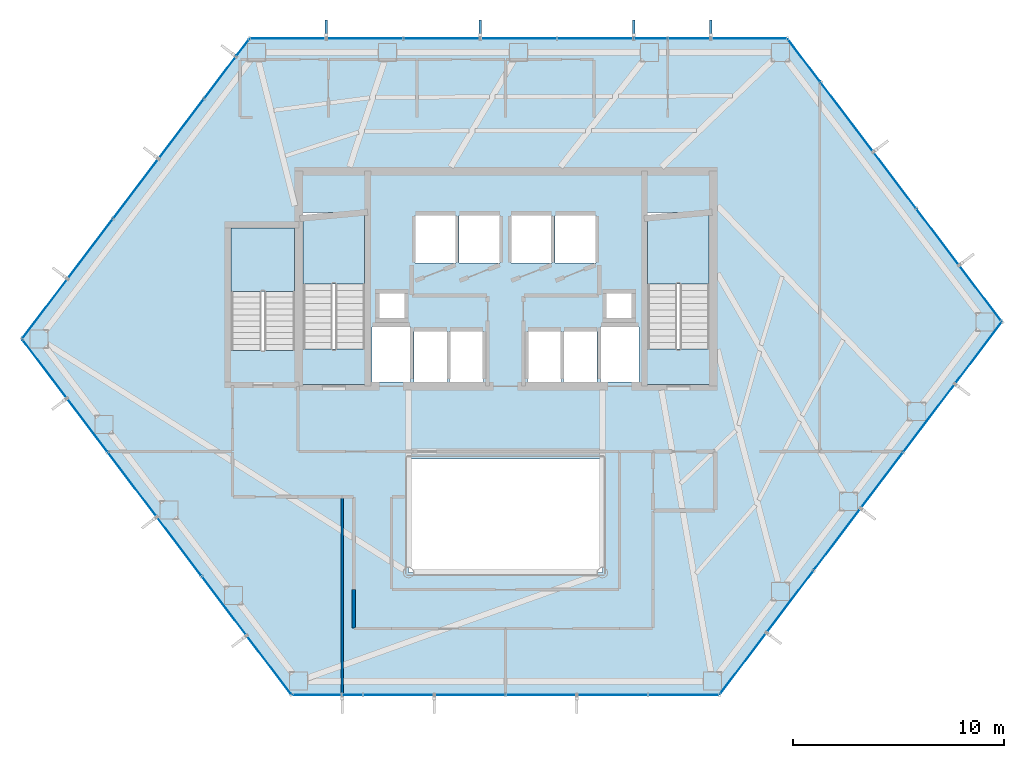
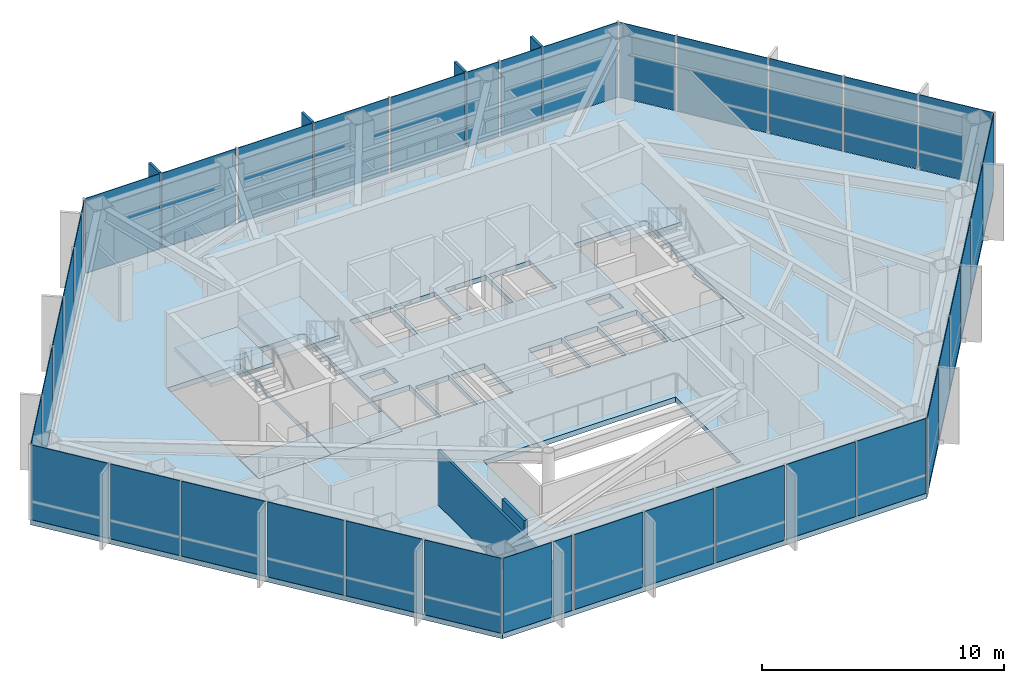
# One storey, part 20 of 24: 38 plates, 7 slabs, 4 members, 2 walls, 9 elements without a shape of their own.
"""IFC4 building model written with IfcOpenShell, lengths in metres."""

from ifc_helpers import new_model, si_unit, direction, frame, frame_2d, origin, origin_2d, place, context, subcontext, project, spatial, polyline, rectangle, outline, extrude, material, layer, layer_set, material_profile, profile_set, type_object, element, aggregate, save


model = new_model("IFC4")

# Units and contexts
model_context = context("Model", 3, precision=1e-05, world=origin(), true_north=direction((0.0, 1.0)))
body_context = subcontext(model_context, "Body", "Model", "MODEL_VIEW")
ifc_project = project(units=[si_unit("LENGTHUNIT", "METRE"), si_unit("AREAUNIT", "SQUARE_METRE"), si_unit("VOLUMEUNIT", "CUBIC_METRE"), si_unit("PLANEANGLEUNIT", "RADIAN"), si_unit("MASSUNIT", "GRAM", prefix="KILO")], contexts=[model_context])

# Site, building, storey
site_placement = place(None, origin())
site = spatial("IfcSite", under=ifc_project, at=site_placement, CompositionType="ELEMENT")
building_placement = place(site_placement, origin())
building = spatial("IfcBuilding", under=site, at=building_placement, Name="Zarrinselat Tower", CompositionType="ELEMENT")
storey_placement = place(building_placement, frame((0.0, 0.0, 76.5)))
storey = spatial("IfcBuildingStorey", under=building, at=storey_placement, Name="L18", CompositionType="ELEMENT", Elevation=76.5)

# Curtain wall, members, plates
ifc_material_1 = material(Name="Extruded Aluminium Alloy EN AW-6063 T6", Category="aluminium")
ifc_layer_1 = layer(ifc_material_1, 0.18505859375)
ifc_layer_set_1 = layer_set([ifc_layer_1], Name="Extruded Aluminium Alloy EN AW-6063 T6")
curtain_wall_type = type_object("IfcCurtainWallType", Name="CWS-OFF", PredefinedType="NOTDEFINED", material=ifc_layer_set_1)
curtain_wall_1_placement = place(storey_placement, origin())
curtain_wall_1 = element("IfcCurtainWall", 1, at=curtain_wall_1_placement, inside=storey, type_object=curtain_wall_type, Name="L18 Unitised Curtain Wall CW-L18-E01", PredefinedType="NOTDEFINED")
ifc_material_2 = material(Name="Honed Cream Travertine Stone", Category="masonry")
ifc_material_profile = material_profile(ifc_material_2, rectangle(XDim=0.1201171875, YDim=0.85009765625, at=origin_2d()), Name="FIN 850x120")
ifc_profile_set = profile_set([ifc_material_profile], Name="Honed Cream Travertine Stone")
member_type = type_object("IfcMemberType", Name="MEM-STONE-FIN", PredefinedType="USERDEFINED", material=ifc_profile_set)
member_1_placement = place(storey_placement, frame((48.130859375, 50.193359375, 0.0), z_axis=(0.0, 0.0, 1.0), x_axis=(1.0, 0.0, 0.0)))
member_1 = element("IfcMember", 2, at=member_1_placement, type_object=member_type, Name="L18 Stone Shading Fin CW-L18-E01-01", ObjectType="FIN", PredefinedType="USERDEFINED", context=body_context, shape_type="SweptSolid", body=[
    extrude(rectangle(XDim=0.1201171875, YDim=0.85009765625, at=origin_2d()), origin(), (0.0, 0.0, 1.0), 3.820068359375),
])
member_2_placement = place(storey_placement, frame((44.4853515625, 50.193359375, 0.0), z_axis=(0.0, 0.0, 1.0), x_axis=(1.0, 0.0, 0.0)))
member_2 = element("IfcMember", 3, at=member_2_placement, type_object=member_type, Name="L18 Stone Shading Fin CW-L18-E01-03", ObjectType="FIN", PredefinedType="USERDEFINED", context=body_context, shape_type="SweptSolid", body=[
    extrude(rectangle(XDim=0.1201171875, YDim=0.85009765625, at=origin_2d()), origin(), (0.0, 0.0, 1.0), 3.820068359375),
])
member_3_placement = place(storey_placement, frame((37.194580078125, 50.193359375, 0.0), z_axis=(0.0, 0.0, 1.0), x_axis=(1.0, 0.0, 0.0)))
member_3 = element("IfcMember", 4, at=member_3_placement, type_object=member_type, Name="L18 Stone Shading Fin CW-L18-E01-05", ObjectType="FIN", PredefinedType="USERDEFINED", context=body_context, shape_type="SweptSolid", body=[
    extrude(rectangle(XDim=0.1201171875, YDim=0.85009765625, at=origin_2d()), origin(), (0.0, 0.0, 1.0), 3.820068359375),
])
member_4_placement = place(storey_placement, frame((29.903564453125, 50.193359375, 0.0), z_axis=(0.0, 0.0, 1.0), x_axis=(1.0, 0.0, 0.0)))
member_4 = element("IfcMember", 5, at=member_4_placement, type_object=member_type, Name="L18 Stone Shading Fin CW-L18-E01-07", ObjectType="FIN", PredefinedType="USERDEFINED", context=body_context, shape_type="SweptSolid", body=[
    extrude(rectangle(XDim=0.1201171875, YDim=0.85009765625, at=origin_2d()), origin(), (0.0, 0.0, 1.0), 3.820068359375),
])
ifc_material_3 = material(Name="Double Low-E Laminated Solar Glass", Category="glass")
ifc_layer_2 = layer(ifc_material_3, 0.031982421875)
ifc_layer_set_2 = layer_set([ifc_layer_2], Name="Double Low-E Laminated Solar Glass")
plate_type = type_object("IfcPlateType", Name="PLT-CW-GL32", PredefinedType="CURTAIN_PANEL", material=ifc_layer_set_2)
plate_1_placement = place(storey_placement, frame((49.95361328125, 49.7333984375, 0.02001953125), z_axis=(0.0, 0.0, 1.0), x_axis=(-1.0, 0.0, 0.0)))
plate_1 = element("IfcPlate", 6, at=plate_1_placement, type_object=plate_type, Name="CW-L18-E01 Vision Glass Panel 1", PredefinedType="CURTAIN_PANEL", context=body_context, shape_type="SweptSolid", body=[
    extrude(rectangle(XDim=3.54541015625, YDim=0.031982421875, at=origin_2d()), origin(), (0.0, 0.0, 1.0), 3.780029296875),
])
plate_2_placement = place(storey_placement, frame((47.115478515625, 49.7333984375, 0.02001953125), z_axis=(0.0, 0.0, 1.0), x_axis=(-1.0, 0.0, 0.0)))
plate_2 = element("IfcPlate", 7, at=plate_2_placement, type_object=plate_type, Name="CW-L18-E01 Vision Glass Panel 2", PredefinedType="CURTAIN_PANEL", context=body_context, shape_type="SweptSolid", body=[
    extrude(rectangle(XDim=1.930908203125, YDim=0.031982421875, at=origin_2d()), origin(), (0.0, 0.0, 1.0), 3.780029296875),
])
plate_3_placement = place(storey_placement, frame((45.292724609375, 49.7333984375, 0.02001953125), z_axis=(0.0, 0.0, 1.0), x_axis=(-1.0, 0.0, 0.0)))
plate_3 = element("IfcPlate", 8, at=plate_3_placement, type_object=plate_type, Name="CW-L18-E01 Vision Glass Panel 3", PredefinedType="CURTAIN_PANEL", context=body_context, shape_type="SweptSolid", body=[
    extrude(rectangle(XDim=1.5146484375, YDim=0.031982421875, at=origin_2d()), origin(), (0.0, 0.0, 1.0), 3.780029296875),
])
plate_4_placement = place(storey_placement, frame((42.66259765625, 49.7333984375, 0.02001953125), z_axis=(0.0, 0.0, 1.0), x_axis=(-1.0, 0.0, 0.0)))
plate_4 = element("IfcPlate", 9, at=plate_4_placement, type_object=plate_type, Name="CW-L18-E01 Vision Glass Panel 4", PredefinedType="CURTAIN_PANEL", context=body_context, shape_type="SweptSolid", body=[
    extrude(rectangle(XDim=3.54541015625, YDim=0.031982421875, at=origin_2d()), origin(), (0.0, 0.0, 1.0), 3.780029296875),
])
plate_5_placement = place(storey_placement, frame((39.01708984375, 49.7333984375, 0.02001953125), z_axis=(0.0, 0.0, 1.0), x_axis=(-1.0, 0.0, 0.0)))
plate_5 = element("IfcPlate", 10, at=plate_5_placement, type_object=plate_type, Name="CW-L18-E01 Vision Glass Panel 5", PredefinedType="CURTAIN_PANEL", context=body_context, shape_type="SweptSolid", body=[
    extrude(rectangle(XDim=3.54541015625, YDim=0.031982421875, at=origin_2d()), origin(), (0.0, 0.0, 1.0), 3.780029296875),
])
plate_6_placement = place(storey_placement, frame((35.371826171875, 49.7333984375, 0.02001953125), z_axis=(0.0, 0.0, 1.0), x_axis=(-1.0, 0.0, 0.0)))
plate_6 = element("IfcPlate", 11, at=plate_6_placement, type_object=plate_type, Name="CW-L18-E01 Vision Glass Panel 6", PredefinedType="CURTAIN_PANEL", context=body_context, shape_type="SweptSolid", body=[
    extrude(rectangle(XDim=3.54541015625, YDim=0.031982421875, at=origin_2d()), origin(), (0.0, 0.0, 1.0), 3.780029296875),
])
plate_7_placement = place(storey_placement, frame((31.726318359375, 49.7333984375, 0.02001953125), z_axis=(0.0, 0.0, 1.0), x_axis=(-1.0, 0.0, 0.0)))
plate_7 = element("IfcPlate", 12, at=plate_7_placement, type_object=plate_type, Name="CW-L18-E01 Vision Glass Panel 7", PredefinedType="CURTAIN_PANEL", context=body_context, shape_type="SweptSolid", body=[
    extrude(rectangle(XDim=3.54541015625, YDim=0.031982421875, at=origin_2d()), origin(), (0.0, 0.0, 1.0), 3.780029296875),
])
plate_8_placement = place(storey_placement, frame((28.080810546875, 49.7333984375, 0.02001953125), z_axis=(0.0, 0.0, 1.0), x_axis=(-1.0, 0.0, 0.0)))
plate_8 = element("IfcPlate", 13, at=plate_8_placement, type_object=plate_type, Name="CW-L18-E01 Vision Glass Panel 8", PredefinedType="CURTAIN_PANEL", context=body_context, shape_type="SweptSolid", body=[
    extrude(rectangle(XDim=3.54541015625, YDim=0.031982421875, at=origin_2d()), origin(), (0.0, 0.0, 1.0), 3.780029296875),
])
aggregate(curtain_wall_1, [member_1, member_2, member_3, member_4, plate_1, plate_2, plate_3, plate_4, plate_5, plate_6, plate_7, plate_8])

# Curtain wall, plates
curtain_wall_2_placement = place(storey_placement, origin())
curtain_wall_2 = element("IfcCurtainWall", 14, at=curtain_wall_2_placement, inside=storey, type_object=curtain_wall_type, Name="L18 Unitised Curtain Wall CW-L18-E02", PredefinedType="NOTDEFINED")
plate_9_placement = place(storey_placement, frame((25.93798828125, 49.310791015625, 0.02001953125), z_axis=(0.0, 0.0, 1.0), x_axis=(-0.60385671849, -0.797092882627, 0.0)))
plate_9 = element("IfcPlate", 15, at=plate_9_placement, type_object=plate_type, Name="CW-L18-E02 Vision Glass Panel 1", PredefinedType="CURTAIN_PANEL", context=body_context, shape_type="SweptSolid", body=[
    extrude(rectangle(XDim=0.96044921875, YDim=0.031982421875, at=origin_2d()), origin(), (0.0, 0.0, 1.0), 3.780029296875),
])
plate_10_placement = place(storey_placement, frame((24.858642578125, 47.885986328125, 0.02001953125), z_axis=(0.0, 0.0, 1.0), x_axis=(-0.60385671849, -0.797092882627, 0.0)))
plate_10 = element("IfcPlate", 16, at=plate_10_placement, type_object=plate_type, Name="CW-L18-E02 Vision Glass Panel 2", PredefinedType="CURTAIN_PANEL", context=body_context, shape_type="SweptSolid", body=[
    extrude(rectangle(XDim=2.4140625, YDim=0.031982421875, at=origin_2d()), origin(), (0.0, 0.0, 1.0), 3.780029296875),
])
plate_11_placement = place(storey_placement, frame((23.0205078125, 45.45947265625, 0.02001953125), z_axis=(0.0, 0.0, 1.0), x_axis=(-0.60385671849, -0.797092882627, 0.0)))
plate_11 = element("IfcPlate", 17, at=plate_11_placement, type_object=plate_type, Name="CW-L18-E02 Vision Glass Panel 3", PredefinedType="CURTAIN_PANEL", context=body_context, shape_type="SweptSolid", body=[
    extrude(rectangle(XDim=3.474609375, YDim=0.031982421875, at=origin_2d()), origin(), (0.0, 0.0, 1.0), 3.780029296875),
])
plate_12_placement = place(storey_placement, frame((20.86181640625, 42.610107421875, 0.02001953125), z_axis=(0.0, 0.0, 1.0), x_axis=(-0.60385671849, -0.797092882627, 0.0)))
plate_12 = element("IfcPlate", 18, at=plate_12_placement, type_object=plate_type, Name="CW-L18-E02 Vision Glass Panel 4", PredefinedType="CURTAIN_PANEL", context=body_context, shape_type="SweptSolid", body=[
    extrude(rectangle(XDim=3.474609375, YDim=0.031982421875, at=origin_2d()), origin(), (0.0, 0.0, 1.0), 3.780029296875),
])
plate_13_placement = place(storey_placement, frame((18.703369140625, 39.7607421875, 0.02001953125), z_axis=(0.0, 0.0, 1.0), x_axis=(-0.60385671849, -0.797092882627, 0.0)))
plate_13 = element("IfcPlate", 19, at=plate_13_placement, type_object=plate_type, Name="CW-L18-E02 Vision Glass Panel 5", PredefinedType="CURTAIN_PANEL", context=body_context, shape_type="SweptSolid", body=[
    extrude(rectangle(XDim=3.474609375, YDim=0.031982421875, at=origin_2d()), origin(), (0.0, 0.0, 1.0), 3.780029296875),
])
plate_14_placement = place(storey_placement, frame((16.544921875, 36.91162109375, 0.02001953125), z_axis=(0.0, 0.0, 1.0), x_axis=(-0.60385671849, -0.797092882627, 0.0)))
plate_14 = element("IfcPlate", 20, at=plate_14_placement, type_object=plate_type, Name="CW-L18-E02 Vision Glass Panel 6", PredefinedType="CURTAIN_PANEL", context=body_context, shape_type="SweptSolid", body=[
    extrude(rectangle(XDim=3.474609375, YDim=0.031982421875, at=origin_2d()), origin(), (0.0, 0.0, 1.0), 3.780029296875),
])
aggregate(curtain_wall_2, [plate_9, plate_10, plate_11, plate_12, plate_13, plate_14])

curtain_wall_3_placement = place(storey_placement, origin())
curtain_wall_3 = element("IfcCurtainWall", 21, at=curtain_wall_3_placement, inside=storey, type_object=curtain_wall_type, Name="L18 Unitised Curtain Wall CW-L18-E03", PredefinedType="NOTDEFINED")
plate_15_placement = place(storey_placement, frame((16.53125, 34.080078125, 0.02001953125), z_axis=(0.0, 0.0, 1.0), x_axis=(0.603854869931, -0.797094283044, 0.0)))
plate_15 = element("IfcPlate", 22, at=plate_15_placement, type_object=plate_type, Name="CW-L18-E03 Vision Glass Panel 1", PredefinedType="CURTAIN_PANEL", context=body_context, shape_type="SweptSolid", body=[
    extrude(rectangle(XDim=3.429931640625, YDim=0.031982421875, at=origin_2d()), origin(), (0.0, 0.0, 1.0), 3.780029296875),
])
plate_16_placement = place(storey_placement, frame((18.56640625, 31.3935546875, 0.02001953125), z_axis=(0.0, 0.0, 1.0), x_axis=(0.603854869931, -0.797094283044, 0.0)))
plate_16 = element("IfcPlate", 23, at=plate_16_placement, type_object=plate_type, Name="CW-L18-E03 Vision Glass Panel 2", PredefinedType="CURTAIN_PANEL", context=body_context, shape_type="SweptSolid", body=[
    extrude(rectangle(XDim=3.111083984375, YDim=0.031982421875, at=origin_2d()), origin(), (0.0, 0.0, 1.0), 3.780029296875),
])
plate_17_placement = place(storey_placement, frame((20.697998046875, 28.579833984375, 0.02001953125), z_axis=(0.0, 0.0, 1.0), x_axis=(0.603854869931, -0.797094283044, 0.0)))
plate_17 = element("IfcPlate", 24, at=plate_17_placement, type_object=plate_type, Name="CW-L18-E03 Vision Glass Panel 3", PredefinedType="CURTAIN_PANEL", context=body_context, shape_type="SweptSolid", body=[
    extrude(rectangle(XDim=3.748779296875, YDim=0.031982421875, at=origin_2d()), origin(), (0.0, 0.0, 1.0), 3.780029296875),
])
plate_18_placement = place(storey_placement, frame((22.92578125, 25.63916015625, 0.02001953125), z_axis=(0.0, 0.0, 1.0), x_axis=(0.603854869931, -0.797094283044, 0.0)))
plate_18 = element("IfcPlate", 25, at=plate_18_placement, type_object=plate_type, Name="CW-L18-E03 Vision Glass Panel 4", PredefinedType="CURTAIN_PANEL", context=body_context, shape_type="SweptSolid", body=[
    extrude(rectangle(XDim=3.429931640625, YDim=0.031982421875, at=origin_2d()), origin(), (0.0, 0.0, 1.0), 3.780029296875),
])
plate_19_placement = place(storey_placement, frame((25.0576171875, 22.825439453125, 0.02001953125), z_axis=(0.0, 0.0, 1.0), x_axis=(0.603854869931, -0.797094283044, 0.0)))
plate_19 = element("IfcPlate", 26, at=plate_19_placement, type_object=plate_type, Name="CW-L18-E03 Vision Glass Panel 5", PredefinedType="CURTAIN_PANEL", context=body_context, shape_type="SweptSolid", body=[
    extrude(rectangle(XDim=3.429931640625, YDim=0.031982421875, at=origin_2d()), origin(), (0.0, 0.0, 1.0), 3.780029296875),
])
plate_20_placement = place(storey_placement, frame((27.18896484375, 20.01171875, 0.02001953125), z_axis=(0.0, 0.0, 1.0), x_axis=(0.603854869931, -0.797094283044, 0.0)))
plate_20 = element("IfcPlate", 27, at=plate_20_placement, type_object=plate_type, Name="CW-L18-E03 Vision Glass Panel 6", PredefinedType="CURTAIN_PANEL", context=body_context, shape_type="SweptSolid", body=[
    extrude(rectangle(XDim=3.429931640625, YDim=0.031982421875, at=origin_2d()), origin(), (0.0, 0.0, 1.0), 3.780029296875),
])
aggregate(curtain_wall_3, [plate_15, plate_16, plate_17, plate_18, plate_19, plate_20])

curtain_wall_4_placement = place(storey_placement, origin())
curtain_wall_4 = element("IfcCurtainWall", 28, at=curtain_wall_4_placement, inside=storey, type_object=curtain_wall_type, Name="L18 Unitised Curtain Wall CW-L18-E04", PredefinedType="NOTDEFINED")
plate_21_placement = place(storey_placement, frame((29.452392578125, 18.60498046875, 0.02001953125), z_axis=(0.0, 0.0, 1.0), x_axis=(1.0, 0.0, 0.0)))
plate_21 = element("IfcPlate", 29, at=plate_21_placement, type_object=plate_type, Name="CW-L18-E04 Vision Glass Panel 1", PredefinedType="CURTAIN_PANEL", context=body_context, shape_type="SweptSolid", body=[
    extrude(rectangle(XDim=2.295166015625, YDim=0.031982421875, at=origin_2d()), origin(), (0.0, 0.0, 1.0), 3.780029296875),
])
plate_22_placement = place(storey_placement, frame((31.143310546875, 18.60498046875, 0.02001953125), z_axis=(0.0, 0.0, 1.0), x_axis=(1.0, 0.0, 0.0)))
plate_22 = element("IfcPlate", 30, at=plate_22_placement, type_object=plate_type, Name="CW-L18-E04 Vision Glass Panel 2", PredefinedType="CURTAIN_PANEL", context=body_context, shape_type="SweptSolid", body=[
    extrude(rectangle(XDim=0.886474609375, YDim=0.031982421875, at=origin_2d()), origin(), (0.0, 0.0, 1.0), 3.780029296875),
])
plate_23_placement = place(storey_placement, frame((33.327392578125, 18.60498046875, 0.02001953125), z_axis=(0.0, 0.0, 1.0), x_axis=(1.0, 0.0, 0.0)))
plate_23 = element("IfcPlate", 31, at=plate_23_placement, type_object=plate_type, Name="CW-L18-E04 Vision Glass Panel 3", PredefinedType="CURTAIN_PANEL", context=body_context, shape_type="SweptSolid", body=[
    extrude(rectangle(XDim=3.28173828125, YDim=0.031982421875, at=origin_2d()), origin(), (0.0, 0.0, 1.0), 3.780029296875),
])
plate_24_placement = place(storey_placement, frame((36.708984375, 18.60498046875, 0.02001953125), z_axis=(0.0, 0.0, 1.0), x_axis=(1.0, 0.0, 0.0)))
plate_24 = element("IfcPlate", 32, at=plate_24_placement, type_object=plate_type, Name="CW-L18-E04 Vision Glass Panel 4", PredefinedType="CURTAIN_PANEL", context=body_context, shape_type="SweptSolid", body=[
    extrude(rectangle(XDim=3.28173828125, YDim=0.031982421875, at=origin_2d()), origin(), (0.0, 0.0, 1.0), 3.780029296875),
])
plate_25_placement = place(storey_placement, frame((40.0908203125, 18.60498046875, 0.02001953125), z_axis=(0.0, 0.0, 1.0), x_axis=(1.0, 0.0, 0.0)))
plate_25 = element("IfcPlate", 33, at=plate_25_placement, type_object=plate_type, Name="CW-L18-E04 Vision Glass Panel 5", PredefinedType="CURTAIN_PANEL", context=body_context, shape_type="SweptSolid", body=[
    extrude(rectangle(XDim=3.28173828125, YDim=0.031982421875, at=origin_2d()), origin(), (0.0, 0.0, 1.0), 3.780029296875),
])
plate_26_placement = place(storey_placement, frame((43.47265625, 18.60498046875, 0.02001953125), z_axis=(0.0, 0.0, 1.0), x_axis=(1.0, 0.0, 0.0)))
plate_26 = element("IfcPlate", 34, at=plate_26_placement, type_object=plate_type, Name="CW-L18-E04 Vision Glass Panel 6", PredefinedType="CURTAIN_PANEL", context=body_context, shape_type="SweptSolid", body=[
    extrude(rectangle(XDim=3.28173828125, YDim=0.031982421875, at=origin_2d()), origin(), (0.0, 0.0, 1.0), 3.780029296875),
])
plate_27_placement = place(storey_placement, frame((46.854248046875, 18.60498046875, 0.02001953125), z_axis=(0.0, 0.0, 1.0), x_axis=(1.0, 0.0, 0.0)))
plate_27 = element("IfcPlate", 35, at=plate_27_placement, type_object=plate_type, Name="CW-L18-E04 Vision Glass Panel 7", PredefinedType="CURTAIN_PANEL", context=body_context, shape_type="SweptSolid", body=[
    extrude(rectangle(XDim=3.28173828125, YDim=0.031982421875, at=origin_2d()), origin(), (0.0, 0.0, 1.0), 3.780029296875),
])
aggregate(curtain_wall_4, [plate_21, plate_22, plate_23, plate_24, plate_25, plate_26, plate_27])

curtain_wall_5_placement = place(storey_placement, origin())
curtain_wall_5 = element("IfcCurtainWall", 36, at=curtain_wall_5_placement, inside=storey, type_object=curtain_wall_type, Name="L18 Unitised Curtain Wall CW-L18-E05", PredefinedType="NOTDEFINED")
plate_28_placement = place(storey_placement, frame((49.662353515625, 20.07958984375, 0.02001953125), z_axis=(0.0, 0.0, 1.0), x_axis=(0.603855086386, 0.797094119063, 0.0)))
plate_28 = element("IfcPlate", 37, at=plate_28_placement, type_object=plate_type, Name="CW-L18-E05 Vision Glass Panel 1", PredefinedType="CURTAIN_PANEL", context=body_context, shape_type="SweptSolid", body=[
    extrude(rectangle(XDim=3.600341796875, YDim=0.031982421875, at=origin_2d()), origin(), (0.0, 0.0, 1.0), 3.780029296875),
])
plate_29_placement = place(storey_placement, frame((51.896728515625, 23.029052734375, 0.02001953125), z_axis=(0.0, 0.0, 1.0), x_axis=(0.603855086386, 0.797094119063, 0.0)))
plate_29 = element("IfcPlate", 38, at=plate_29_placement, type_object=plate_type, Name="CW-L18-E05 Vision Glass Panel 2", PredefinedType="CURTAIN_PANEL", context=body_context, shape_type="SweptSolid", body=[
    extrude(rectangle(XDim=3.600341796875, YDim=0.031982421875, at=origin_2d()), origin(), (0.0, 0.0, 1.0), 3.780029296875),
])
plate_30_placement = place(storey_placement, frame((54.131103515625, 25.978515625, 0.02001953125), z_axis=(0.0, 0.0, 1.0), x_axis=(0.603855086386, 0.797094119063, 0.0)))
plate_30 = element("IfcPlate", 39, at=plate_30_placement, type_object=plate_type, Name="CW-L18-E05 Vision Glass Panel 3", PredefinedType="CURTAIN_PANEL", context=body_context, shape_type="SweptSolid", body=[
    extrude(rectangle(XDim=3.600341796875, YDim=0.031982421875, at=origin_2d()), origin(), (0.0, 0.0, 1.0), 3.780029296875),
])
plate_31_placement = place(storey_placement, frame((56.256103515625, 28.783447265625, 0.02001953125), z_axis=(0.0, 0.0, 1.0), x_axis=(0.603855086386, 0.797094119063, 0.0)))
plate_31 = element("IfcPlate", 40, at=plate_31_placement, type_object=plate_type, Name="CW-L18-E05 Vision Glass Panel 4", PredefinedType="CURTAIN_PANEL", context=body_context, shape_type="SweptSolid", body=[
    extrude(rectangle(XDim=3.23779296875, YDim=0.031982421875, at=origin_2d()), origin(), (0.0, 0.0, 1.0), 3.780029296875),
])
plate_32_placement = place(storey_placement, frame((58.490478515625, 31.73291015625, 0.02001953125), z_axis=(0.0, 0.0, 1.0), x_axis=(0.603855086386, 0.797094119063, 0.0)))
plate_32 = element("IfcPlate", 41, at=plate_32_placement, type_object=plate_type, Name="CW-L18-E05 Vision Glass Panel 5", PredefinedType="CURTAIN_PANEL", context=body_context, shape_type="SweptSolid", body=[
    extrude(rectangle(XDim=3.962646484375, YDim=0.031982421875, at=origin_2d()), origin(), (0.0, 0.0, 1.0), 3.780029296875),
])
plate_33_placement = place(storey_placement, frame((60.83447265625, 34.826904296875, 0.02001953125), z_axis=(0.0, 0.0, 1.0), x_axis=(0.603855086386, 0.797094119063, 0.0)))
plate_33 = element("IfcPlate", 42, at=plate_33_placement, type_object=plate_type, Name="CW-L18-E05 Vision Glass Panel 6", PredefinedType="CURTAIN_PANEL", context=body_context, shape_type="SweptSolid", body=[
    extrude(rectangle(XDim=3.600341796875, YDim=0.031982421875, at=origin_2d()), origin(), (0.0, 0.0, 1.0), 3.780029296875),
])
aggregate(curtain_wall_5, [plate_28, plate_29, plate_30, plate_31, plate_32, plate_33])

curtain_wall_6_placement = place(storey_placement, origin())
curtain_wall_6 = element("IfcCurtainWall", 43, at=curtain_wall_6_placement, inside=storey, type_object=curtain_wall_type, Name="L18 Unitised Curtain Wall CW-L18-E06", PredefinedType="NOTDEFINED")
plate_34_placement = place(storey_placement, frame((60.93408203125, 37.644775390625, 0.02001953125), z_axis=(0.0, 0.0, 1.0), x_axis=(-0.603856545426, 0.797093013736, 0.0)))
plate_34 = element("IfcPlate", 44, at=plate_34_placement, type_object=plate_type, Name="CW-L18-E06 Vision Glass Panel 1", PredefinedType="CURTAIN_PANEL", context=body_context, shape_type="SweptSolid", body=[
    extrude(rectangle(XDim=3.270263671875, YDim=0.031982421875, at=origin_2d()), origin(), (0.0, 0.0, 1.0), 3.780029296875),
])
plate_35_placement = place(storey_placement, frame((58.899169921875, 40.3310546875, 0.02001953125), z_axis=(0.0, 0.0, 1.0), x_axis=(-0.603856545426, 0.797093013736, 0.0)))
plate_35 = element("IfcPlate", 45, at=plate_35_placement, type_object=plate_type, Name="CW-L18-E06 Vision Glass Panel 2", PredefinedType="CURTAIN_PANEL", context=body_context, shape_type="SweptSolid", body=[
    extrude(rectangle(XDim=3.270263671875, YDim=0.031982421875, at=origin_2d()), origin(), (0.0, 0.0, 1.0), 3.780029296875),
])
plate_36_placement = place(storey_placement, frame((56.864013671875, 43.017333984375, 0.02001953125), z_axis=(0.0, 0.0, 1.0), x_axis=(-0.603856545426, 0.797093013736, 0.0)))
plate_36 = element("IfcPlate", 46, at=plate_36_placement, type_object=plate_type, Name="CW-L18-E06 Vision Glass Panel 3", PredefinedType="CURTAIN_PANEL", context=body_context, shape_type="SweptSolid", body=[
    extrude(rectangle(XDim=3.270263671875, YDim=0.031982421875, at=origin_2d()), origin(), (0.0, 0.0, 1.0), 3.780029296875),
])
plate_37_placement = place(storey_placement, frame((54.59716796875, 46.009765625, 0.02001953125), z_axis=(0.0, 0.0, 1.0), x_axis=(-0.603856545426, 0.797093013736, 0.0)))
plate_37 = element("IfcPlate", 47, at=plate_37_placement, type_object=plate_type, Name="CW-L18-E06 Vision Glass Panel 4", PredefinedType="CURTAIN_PANEL", context=body_context, shape_type="SweptSolid", body=[
    extrude(rectangle(XDim=4.03759765625, YDim=0.031982421875, at=origin_2d()), origin(), (0.0, 0.0, 1.0), 3.780029296875),
])
plate_38_placement = place(storey_placement, frame((52.56201171875, 48.696044921875, 0.02001953125), z_axis=(0.0, 0.0, 1.0), x_axis=(-0.603856545426, 0.797093013736, 0.0)))
plate_38 = element("IfcPlate", 48, at=plate_38_placement, type_object=plate_type, Name="CW-L18-E06 Vision Glass Panel 5", PredefinedType="CURTAIN_PANEL", context=body_context, shape_type="SweptSolid", body=[
    extrude(rectangle(XDim=2.502685546875, YDim=0.031982421875, at=origin_2d()), origin(), (0.0, 0.0, 1.0), 3.780029296875),
])
aggregate(curtain_wall_6, [plate_34, plate_35, plate_36, plate_37, plate_38])

# Slabs
ifc_material_4 = material(Name="Concrete C40/50", Category="concrete")
ifc_layer_3 = layer(ifc_material_4, 0.260009765625)
ifc_layer_set_3 = layer_set([ifc_layer_3], Name="Concrete C40/50")
slab_type_1 = type_object("IfcSlabType", Name="SLB-FLOOR-260-SL-OF260", PredefinedType="FLOOR", material=ifc_layer_set_3)
slab_1_placement = place(storey_placement, frame((0.0, 0.0, -0.260009765625)))
element("IfcSlab", 49, at=slab_1_placement, inside=storey, type_object=slab_type_1, Name="L18 Primary Structural Slab", PredefinedType="FLOOR", context=body_context, shape_type="SweptSolid", body=[
    extrude(outline(polyline([(51.776123046875, 49.7333984375), (26.25830078125, 49.7333984375), (15.465576171875, 35.48681640625), (28.2548828125, 18.60498046875), (48.545166015625, 18.60498046875), (61.95166015625, 36.301513671875), (51.776123046875, 49.7333984375)]), holes=[polyline([(34.050048828125, 33.449951171875), (34.050048828125, 35.85009765625), (35.64990234375, 35.85009765625), (35.64990234375, 33.449951171875), (34.050048828125, 33.449951171875)]), polyline([(35.75, 33.449951171875), (35.75, 35.85009765625), (37.35009765625, 35.85009765625), (37.35009765625, 33.449951171875), (35.75, 33.449951171875)]), polyline([(32.06005859375, 33.449951171875), (32.06005859375, 36.050048828125), (33.89990234375, 36.050048828125), (33.89990234375, 33.449951171875), (32.06005859375, 33.449951171875)]), polyline([(32.419921875, 36.47998046875), (32.419921875, 37.639892578125), (33.60009765625, 37.639892578125), (33.60009765625, 36.47998046875), (32.419921875, 36.47998046875)]), polyline([(28.594970703125, 33.324951171875), (25.114990234375, 33.324951171875), (25.114990234375, 40.875), (28.594970703125, 40.875), (28.594970703125, 33.324951171875)]), polyline([(31.985107421875, 33.324951171875), (28.60498046875, 33.324951171875), (28.60498046875, 41.47509765625), (31.985107421875, 41.47509765625), (31.985107421875, 33.324951171875)]), polyline([(34.10009765625, 39.10009765625), (34.10009765625, 41.35009765625), (36.050048828125, 41.35009765625), (36.050048828125, 39.10009765625), (34.10009765625, 39.10009765625)]), polyline([(36.199951171875, 39.10009765625), (36.199951171875, 41.35009765625), (38.14990234375, 41.35009765625), (38.14990234375, 39.10009765625), (36.199951171875, 39.10009765625)]), polyline([(33.800048828125, 24.39990234375), (33.800048828125, 29.800048828125), (43.0, 29.800048828125), (43.0, 24.39990234375), (33.800048828125, 24.39990234375)]), polyline([(39.449951171875, 33.449951171875), (39.449951171875, 35.85009765625), (41.050048828125, 35.85009765625), (41.050048828125, 33.449951171875), (39.449951171875, 33.449951171875)]), polyline([(41.14990234375, 33.449951171875), (41.14990234375, 35.85009765625), (42.75, 35.85009765625), (42.75, 33.449951171875), (41.14990234375, 33.449951171875)]), polyline([(42.89990234375, 33.449951171875), (42.89990234375, 36.050048828125), (44.739990234375, 36.050048828125), (44.739990234375, 33.449951171875), (42.89990234375, 33.449951171875)]), polyline([(43.199951171875, 36.47998046875), (43.199951171875, 37.639892578125), (44.3798828125, 37.639892578125), (44.3798828125, 36.47998046875), (43.199951171875, 36.47998046875)]), polyline([(48.324951171875, 33.324951171875), (44.875, 33.324951171875), (44.875, 41.47509765625), (48.324951171875, 41.47509765625), (48.324951171875, 33.324951171875)]), polyline([(38.64990234375, 39.10009765625), (38.64990234375, 41.35009765625), (40.60009765625, 41.35009765625), (40.60009765625, 39.10009765625), (38.64990234375, 39.10009765625)]), polyline([(40.75, 39.10009765625), (40.75, 41.35009765625), (42.699951171875, 41.35009765625), (42.699951171875, 39.10009765625), (40.75, 39.10009765625)])]), origin(), (0.0, 0.0, 1.0), 0.260009765625),
])
slab_2_placement = place(storey_placement, frame((0.0, 0.0, -0.260009765625)))
element("IfcSlab", 50, at=slab_2_placement, inside=storey, type_object=slab_type_1, Name="L18 Stair ST-1-FL1 Structural Floor Landing", PredefinedType="FLOOR", context=body_context, shape_type="SweptSolid", body=[
    extrude(outline(polyline([(31.97998046875, 33.330078125), (31.97998046875, 35.0), (28.610107421875, 35.0), (28.610107421875, 33.330078125), (31.97998046875, 33.330078125)])), origin(), (0.0, 0.0, 1.0), 0.260009765625),
])
slab_3_placement = place(storey_placement, frame((0.0, 0.0, -0.260009765625)))
element("IfcSlab", 51, at=slab_3_placement, inside=storey, type_object=slab_type_1, Name="L18 Stair ST-2-FL1 Structural Floor Landing", PredefinedType="FLOOR", context=body_context, shape_type="SweptSolid", body=[
    extrude(outline(polyline([(48.320068359375, 33.330078125), (48.320068359375, 35.0), (44.8798828125, 35.0), (44.8798828125, 33.330078125), (48.320068359375, 33.330078125)])), origin(), (0.0, 0.0, 1.0), 0.260009765625),
])
slab_4_placement = place(storey_placement, frame((0.0, 0.0, -0.260009765625)))
element("IfcSlab", 52, at=slab_4_placement, inside=storey, type_object=slab_type_1, Name="L18 Stair ST-3-FL1 Structural Floor Landing", PredefinedType="FLOOR", context=body_context, shape_type="SweptSolid", body=[
    extrude(outline(polyline([(28.590087890625, 33.330078125), (28.590087890625, 34.949951171875), (25.1201171875, 34.949951171875), (25.1201171875, 33.330078125), (28.590087890625, 33.330078125)])), origin(), (0.0, 0.0, 1.0), 0.260009765625),
])

# Stair, slab
ifc_material_5 = material(Name="Concrete C40/50", Category="concrete")
stair_type_1 = type_object("IfcStairType", Name="STR-CORE-145", PredefinedType="HALF_TURN_STAIR", material=ifc_material_5)
stair_1_placement = place(storey_placement, origin())
stair_1 = element("IfcStair", 53, at=stair_1_placement, inside=storey, type_object=stair_type_1, Name="L18 Podium & Mid-Tower Exit Stair 3", PredefinedType="HALF_TURN_STAIR")
ifc_material_6 = material(Name="Concrete C40/50", Category="concrete")
ifc_layer_4 = layer(ifc_material_6, 0.1650390625)
ifc_layer_set_4 = layer_set([ifc_layer_4], Name="Concrete C40/50")
slab_type_2 = type_object("IfcSlabType", Name="SLB-LND-165", PredefinedType="LANDING", material=ifc_layer_set_4)
slab_5_placement = place(storey_placement, frame((0.0, 0.0, 1.840087890625)))
slab_5 = element("IfcSlab", 54, at=slab_5_placement, type_object=slab_type_2, Name="ST-3 landing 1", PredefinedType="LANDING", context=body_context, shape_type="SweptSolid", body=[
    extrude(outline(polyline([(28.39990234375, 37.75), (28.39990234375, 40.75), (25.3798828125, 40.75), (25.3798828125, 37.75), (28.39990234375, 37.75)])), origin(), (0.0, 0.0, 1.0), 0.199951171875),
])
aggregate(stair_1, [slab_5])

ifc_material_7 = material(Name="Concrete C40/50", Category="concrete")
stair_type_2 = type_object("IfcStairType", Name="STR-CORE-155", PredefinedType="HALF_TURN_STAIR", material=ifc_material_7)
stair_2_placement = place(storey_placement, origin())
stair_2 = element("IfcStair", 55, at=stair_2_placement, inside=storey, type_object=stair_type_2, Name="L18 Core Exit Stair 1", PredefinedType="HALF_TURN_STAIR")
ifc_material_8 = material(Name="Concrete C40/50", Category="concrete")
ifc_layer_5 = layer(ifc_material_8, 0.18994140625)
ifc_layer_set_5 = layer_set([ifc_layer_5], Name="Concrete C40/50")
slab_type_3 = type_object("IfcSlabType", Name="SLB-LND-190", PredefinedType="LANDING", material=ifc_layer_set_5)
slab_6_placement = place(storey_placement, frame((0.0, 0.0, 1.840087890625)))
slab_6 = element("IfcSlab", 56, at=slab_6_placement, type_object=slab_type_3, Name="ST-1 landing 1", PredefinedType="LANDING", context=body_context, shape_type="SweptSolid", body=[
    extrude(outline(polyline([(31.719970703125, 38.10009765625), (31.719970703125, 41.35009765625), (28.800048828125, 41.35009765625), (28.800048828125, 38.10009765625), (31.719970703125, 38.10009765625)])), origin(), (0.0, 0.0, 1.0), 0.199951171875),
])
aggregate(stair_2, [slab_6])

stair_3_placement = place(storey_placement, origin())
stair_3 = element("IfcStair", 57, at=stair_3_placement, inside=storey, type_object=stair_type_2, Name="L18 Core Exit Stair 2", PredefinedType="HALF_TURN_STAIR")
slab_7_placement = place(storey_placement, frame((0.0, 0.0, 1.840087890625)))
slab_7 = element("IfcSlab", 58, at=slab_7_placement, type_object=slab_type_3, Name="ST-2 landing 1", PredefinedType="LANDING", context=body_context, shape_type="SweptSolid", body=[
    extrude(outline(polyline([(48.06005859375, 38.10009765625), (48.06005859375, 41.35009765625), (45.139892578125, 41.35009765625), (45.139892578125, 38.10009765625), (48.06005859375, 38.10009765625)])), origin(), (0.0, 0.0, 1.0), 0.199951171875),
])
aggregate(stair_3, [slab_7])

# Walls
ifc_material_9 = material(Name="Fire-Rated Gypsum Board Partition", Category="gypsum")
ifc_layer_6 = layer(ifc_material_9, 0.14990234375)
ifc_layer_set_6 = layer_set([ifc_layer_6], Name="Fire-Rated Gypsum Board Partition")
wall_type_1 = type_object("IfcWallType", Name="WAL-PART-EI60", PredefinedType="PARTITIONING", material=ifc_layer_set_6)
wall_1_placement = place(storey_placement, frame((31.199951171875, 21.77001953125, 0.0), z_axis=(0.0, 0.0, 1.0), x_axis=(0.0, 1.0, 0.0)))
element("IfcWall", 59, at=wall_1_placement, inside=storey, type_object=wall_type_1, Name="L18 Partition Wall 17", PredefinedType="PARTITIONING", context=body_context, shape_type="SweptSolid", body=[
    extrude(rectangle(XDim=1.830078125, YDim=0.14990234375, at=frame_2d((0.9150390625, 0.0))), origin(), (0.0, 0.0, 1.0), 2.777099609375),
])
ifc_material_10 = material(Name="Fire-Rated Gypsum Board Partition", Category="gypsum")
ifc_layer_7 = layer(ifc_material_10, 0.1201171875)
ifc_layer_set_7 = layer_set([ifc_layer_7], Name="Fire-Rated Gypsum Board Partition")
wall_type_2 = type_object("IfcWallType", Name="WAL-PART-STD", PredefinedType="PARTITIONING", material=ifc_layer_set_7)
wall_2_placement = place(storey_placement, frame((30.64990234375, 18.619873046875, 0.0), z_axis=(0.0, 0.0, 1.0), x_axis=(0.0, 1.0, 0.0)))
element("IfcWall", 60, at=wall_2_placement, inside=storey, type_object=wall_type_2, Name="L18 Partition Wall 43", PredefinedType="PARTITIONING", context=body_context, shape_type="SweptSolid", body=[
    extrude(rectangle(XDim=9.360107421875, YDim=0.1201171875, at=frame_2d((4.68017578125, 0.0))), origin(), (0.0, 0.0, 1.0), 2.777099609375),
])

save(model, "model.ifc")
